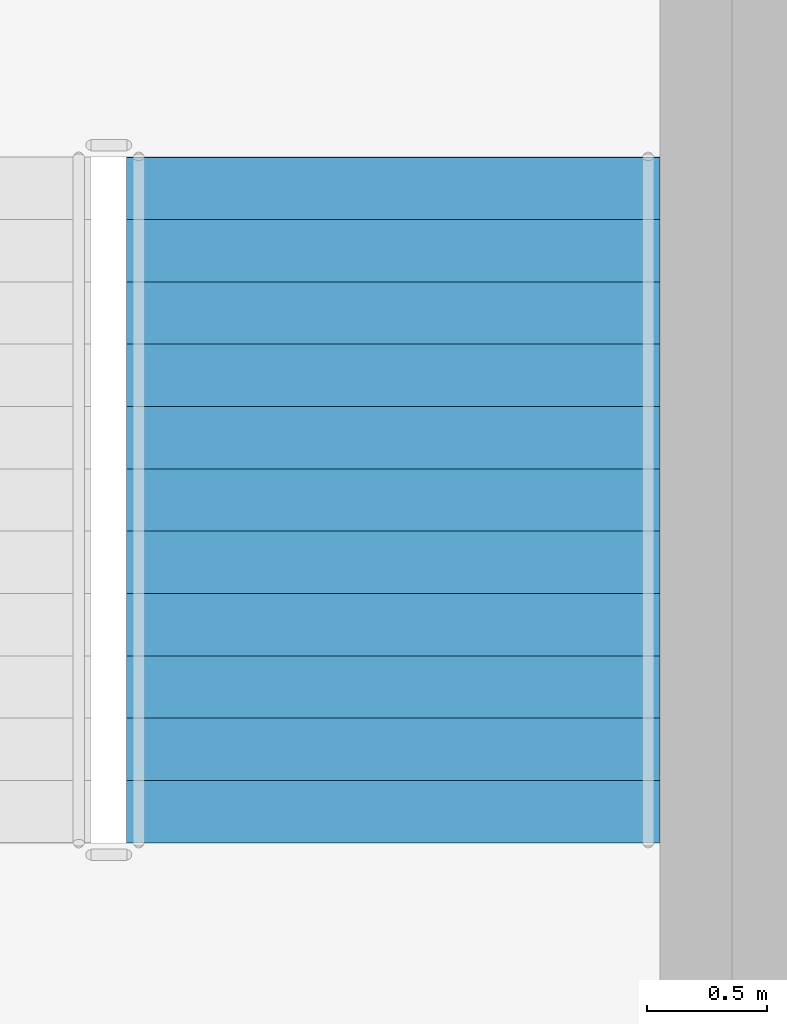
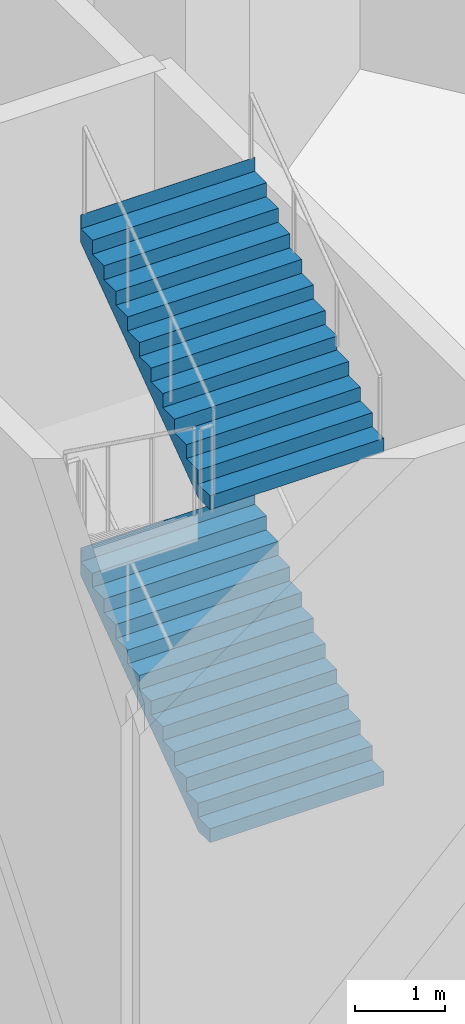
# One storey, part 18 of 35: 2 stair flights, 1 element without a shape of its own.
"""IFC4 building model written with IfcOpenShell, lengths in metres."""

from ifc_helpers import new_model, si_unit, direction, frame, origin, place, context, subcontext, project, spatial, triangles, material, type_object, element, aggregate, save


model = new_model("IFC4")

# Units and contexts
model_context = context("Model", 3, precision=1e-05, world=origin(), true_north=direction((0.0, 1.0)))
body_context = subcontext(model_context, "Body", "Model", "MODEL_VIEW")
ifc_project = project(units=[si_unit("LENGTHUNIT", "METRE"), si_unit("AREAUNIT", "SQUARE_METRE"), si_unit("VOLUMEUNIT", "CUBIC_METRE"), si_unit("PLANEANGLEUNIT", "RADIAN"), si_unit("MASSUNIT", "GRAM", prefix="KILO")], contexts=[model_context])

# Site, building, storey
site_placement = place(None, origin())
site = spatial("IfcSite", under=ifc_project, at=site_placement, CompositionType="ELEMENT")
building_placement = place(site_placement, origin())
building = spatial("IfcBuilding", under=site, at=building_placement, Name="Sahrelin Media Tower", CompositionType="ELEMENT")
storey_placement = place(building_placement, frame((0.0, 0.0, 8.0)))
storey = spatial("IfcBuildingStorey", under=building, at=storey_placement, Name="L01", CompositionType="ELEMENT", Elevation=8.0)

# Stair, stair flights
ifc_material = material(Name="Concrete C40/50", Category="concrete")
stair_type = type_object("IfcStairType", Name="Podium stair 2225", PredefinedType="HALF_TURN_STAIR", material=ifc_material)
stair_placement = place(storey_placement, origin())
stair = element("IfcStair", 1, at=stair_placement, inside=storey, type_object=stair_type, Name="L01 Podium stair PS4", PredefinedType="HALF_TURN_STAIR")
stair_flight_type = type_object("IfcStairFlightType", Name="Stair flight 2225", PredefinedType="STRAIGHT", material=ifc_material)
stair_flight_1_placement = place(storey_placement, frame((11.83740234375, -33.485107421875, 2.25), z_axis=(0.0, 0.0, 1.0), x_axis=(0.0, 1.0, 0.0)))
stair_flight_1 = element("IfcStairFlight", 2, at=stair_flight_1_placement, type_object=stair_flight_type, Name="PS4 flight 2", NumberOfRisers=12, NumberOfTreads=11, PredefinedType="STRAIGHT", RiserHeight=0.1875, TreadLength=0.26, context=body_context, shape_type="Tessellation", body=[
    triangles([(0.25634765625, 1.112548828125, 0.0), (0.25634765625, 0.794677734375, 0.0), (0.25634765625, 0.476806640625, 0.0), (0.25634765625, 0.158935546875, 0.0), (0.25634765625, -0.158935546875, 0.0), (0.25634765625, -0.476806640625, 0.0), (0.25634765625, -0.794677734375, 0.0), (0.25634765625, -1.112548828125, 0.0), (2.860107421875, 1.112548828125, 1.877685546875), (2.860107421875, 0.794677734375, 1.877685546875), (2.860107421875, 0.476806640625, 1.877685546875), (2.860107421875, 0.158935546875, 1.877685546875), (2.860107421875, -0.158935546875, 1.877685546875), (2.860107421875, -0.476806640625, 1.877685546875), (2.860107421875, -0.794677734375, 1.877685546875), (2.860107421875, -1.112548828125, 1.877685546875), (2.860107421875, 1.112548828125, 2.25), (2.860107421875, 0.794677734375, 2.25), (2.860107421875, 0.476806640625, 2.25), (2.860107421875, 0.158935546875, 2.25), (2.860107421875, -0.158935546875, 2.25), (2.860107421875, -0.476806640625, 2.25), (2.860107421875, -0.794677734375, 2.25), (2.860107421875, -1.112548828125, 2.25), (2.85791015625, 1.112548828125, 2.25), (2.85791015625, 0.794677734375, 2.25), (2.85791015625, 0.476806640625, 2.25), (2.85791015625, 0.158935546875, 2.25), (2.85791015625, -0.158935546875, 2.25), (2.85791015625, -0.476806640625, 2.25), (2.85791015625, -0.794677734375, 2.25), (2.85791015625, -1.112548828125, 2.25), (2.85791015625, 1.112548828125, 2.0625), (2.85791015625, 0.794677734375, 2.0625), (2.85791015625, 0.476806640625, 2.0625), (2.85791015625, 0.158935546875, 2.0625), (2.85791015625, -0.158935546875, 2.0625), (2.85791015625, -0.476806640625, 2.0625), (2.85791015625, -0.794677734375, 2.0625), (2.85791015625, -1.112548828125, 2.0625), (2.60009765625, 1.112548828125, 2.0625), (2.60009765625, 0.794677734375, 2.0625), (2.60009765625, 0.476806640625, 2.0625), (2.60009765625, 0.158935546875, 2.0625), (2.60009765625, -0.158935546875, 2.0625), (2.60009765625, -0.476806640625, 2.0625), (2.60009765625, -0.794677734375, 2.0625), (2.60009765625, -1.112548828125, 2.0625), (2.60009765625, 1.112548828125, 1.875), (2.60009765625, 0.794677734375, 1.875), (2.60009765625, 0.476806640625, 1.875), (2.60009765625, 0.158935546875, 1.875), (2.60009765625, -0.158935546875, 1.875), (2.60009765625, -0.476806640625, 1.875), (2.60009765625, -0.794677734375, 1.875), (2.60009765625, -1.112548828125, 1.875), (2.340087890625, 1.112548828125, 1.875), (2.340087890625, 0.794677734375, 1.875), (2.340087890625, 0.476806640625, 1.875), (2.340087890625, 0.158935546875, 1.875), (2.340087890625, -0.158935546875, 1.875), (2.340087890625, -0.476806640625, 1.875), (2.340087890625, -0.794677734375, 1.875), (2.340087890625, -1.112548828125, 1.875), (2.340087890625, 1.112548828125, 1.6875), (2.340087890625, 0.794677734375, 1.6875), (2.340087890625, 0.476806640625, 1.6875), (2.340087890625, 0.158935546875, 1.6875), (2.340087890625, -0.158935546875, 1.6875), (2.340087890625, -0.476806640625, 1.6875), (2.340087890625, -0.794677734375, 1.6875), (2.340087890625, -1.112548828125, 1.6875), (2.080078125, 1.112548828125, 1.6875), (2.080078125, 0.794677734375, 1.6875), (2.080078125, 0.476806640625, 1.6875), (2.080078125, 0.158935546875, 1.6875), (2.080078125, -0.158935546875, 1.6875), (2.080078125, -0.476806640625, 1.6875), (2.080078125, -0.794677734375, 1.6875), (2.080078125, -1.112548828125, 1.6875), (2.080078125, 1.112548828125, 1.5), (2.080078125, 0.794677734375, 1.5), (2.080078125, 0.476806640625, 1.5), (2.080078125, 0.158935546875, 1.5), (2.080078125, -0.158935546875, 1.5), (2.080078125, -0.476806640625, 1.5), (2.080078125, -0.794677734375, 1.5), (2.080078125, -1.112548828125, 1.5), (1.820068359375, 1.112548828125, 1.5), (1.820068359375, 0.794677734375, 1.5), (1.820068359375, 0.476806640625, 1.5), (1.820068359375, 0.158935546875, 1.5), (1.820068359375, -0.158935546875, 1.5), (1.820068359375, -0.476806640625, 1.5), (1.820068359375, -0.794677734375, 1.5), (1.820068359375, -1.112548828125, 1.5), (1.820068359375, 1.112548828125, 1.3125), (1.820068359375, 0.794677734375, 1.3125), (1.820068359375, 0.476806640625, 1.3125), (1.820068359375, 0.158935546875, 1.3125), (1.820068359375, -0.158935546875, 1.3125), (1.820068359375, -0.476806640625, 1.3125), (1.820068359375, -0.794677734375, 1.3125), (1.820068359375, -1.112548828125, 1.3125), (1.56005859375, 1.112548828125, 1.3125), (1.56005859375, 0.794677734375, 1.3125), (1.56005859375, 0.476806640625, 1.3125), (1.56005859375, 0.158935546875, 1.3125), (1.56005859375, -0.158935546875, 1.3125), (1.56005859375, -0.476806640625, 1.3125), (1.56005859375, -0.794677734375, 1.3125), (1.56005859375, -1.112548828125, 1.3125), (1.56005859375, 1.112548828125, 1.125), (1.56005859375, 0.794677734375, 1.125), (1.56005859375, 0.476806640625, 1.125), (1.56005859375, 0.158935546875, 1.125), (1.56005859375, -0.158935546875, 1.125), (1.56005859375, -0.476806640625, 1.125), (1.56005859375, -0.794677734375, 1.125), (1.56005859375, -1.112548828125, 1.125), (1.300048828125, 1.112548828125, 1.125), (1.300048828125, 0.794677734375, 1.125), (1.300048828125, 0.476806640625, 1.125), (1.300048828125, 0.158935546875, 1.125), (1.300048828125, -0.158935546875, 1.125), (1.300048828125, -0.476806640625, 1.125), (1.300048828125, -0.794677734375, 1.125), (1.300048828125, -1.112548828125, 1.125), (1.300048828125, 1.112548828125, 0.9375), (1.300048828125, 0.794677734375, 0.9375), (1.300048828125, 0.476806640625, 0.9375), (1.300048828125, 0.158935546875, 0.9375), (1.300048828125, -0.158935546875, 0.9375), (1.300048828125, -0.476806640625, 0.9375), (1.300048828125, -0.794677734375, 0.9375), (1.300048828125, -1.112548828125, 0.9375), (1.0400390625, 1.112548828125, 0.9375), (1.0400390625, 0.794677734375, 0.9375), (1.0400390625, 0.476806640625, 0.9375), (1.0400390625, 0.158935546875, 0.9375), (1.0400390625, -0.158935546875, 0.9375), (1.0400390625, -0.476806640625, 0.9375), (1.0400390625, -0.794677734375, 0.9375), (1.0400390625, -1.112548828125, 0.9375), (1.0400390625, 1.112548828125, 0.75), (1.0400390625, 0.794677734375, 0.75), (1.0400390625, 0.476806640625, 0.75), (1.0400390625, 0.158935546875, 0.75), (1.0400390625, -0.158935546875, 0.75), (1.0400390625, -0.476806640625, 0.75), (1.0400390625, -0.794677734375, 0.75), (1.0400390625, -1.112548828125, 0.75), (0.780029296875, 1.112548828125, 0.75), (0.780029296875, 0.794677734375, 0.75), (0.780029296875, 0.476806640625, 0.75), (0.780029296875, 0.158935546875, 0.75), (0.780029296875, -0.158935546875, 0.75), (0.780029296875, -0.476806640625, 0.75), (0.780029296875, -0.794677734375, 0.75), (0.780029296875, -1.112548828125, 0.75), (0.780029296875, 1.112548828125, 0.5625), (0.780029296875, 0.794677734375, 0.5625), (0.780029296875, 0.476806640625, 0.5625), (0.780029296875, 0.158935546875, 0.5625), (0.780029296875, -0.158935546875, 0.5625), (0.780029296875, -0.476806640625, 0.5625), (0.780029296875, -0.794677734375, 0.5625), (0.780029296875, -1.112548828125, 0.5625), (0.52001953125, 1.112548828125, 0.5625), (0.52001953125, 0.794677734375, 0.5625), (0.52001953125, 0.476806640625, 0.5625), (0.52001953125, 0.158935546875, 0.5625), (0.52001953125, -0.158935546875, 0.5625), (0.52001953125, -0.476806640625, 0.5625), (0.52001953125, -0.794677734375, 0.5625), (0.52001953125, -1.112548828125, 0.5625), (0.52001953125, 1.112548828125, 0.375), (0.52001953125, 0.794677734375, 0.375), (0.52001953125, 0.476806640625, 0.375), (0.52001953125, 0.158935546875, 0.375), (0.52001953125, -0.158935546875, 0.375), (0.52001953125, -0.476806640625, 0.375), (0.52001953125, -0.794677734375, 0.375), (0.52001953125, -1.112548828125, 0.375), (0.260009765625, 1.112548828125, 0.375), (0.260009765625, 0.794677734375, 0.375), (0.260009765625, 0.476806640625, 0.375), (0.260009765625, 0.158935546875, 0.375), (0.260009765625, -0.158935546875, 0.375), (0.260009765625, -0.476806640625, 0.375), (0.260009765625, -0.794677734375, 0.375), (0.260009765625, -1.112548828125, 0.375), (0.260009765625, 1.112548828125, 0.1875), (0.260009765625, 0.794677734375, 0.1875), (0.260009765625, 0.476806640625, 0.1875), (0.260009765625, 0.158935546875, 0.1875), (0.260009765625, -0.158935546875, 0.1875), (0.260009765625, -0.476806640625, 0.1875), (0.260009765625, -0.794677734375, 0.1875), (0.260009765625, -1.112548828125, 0.1875), (0.0, 1.112548828125, 0.1875), (0.0, 0.794677734375, 0.1875), (0.0, 0.476806640625, 0.1875), (0.0, 0.158935546875, 0.1875), (0.0, -0.158935546875, 0.1875), (0.0, -0.476806640625, 0.1875), (0.0, -0.794677734375, 0.1875), (0.0, -1.112548828125, 0.1875), (0.0, 1.112548828125, 0.0), (0.0, 0.794677734375, 0.0), (0.0, 0.476806640625, 0.0), (0.0, 0.158935546875, 0.0), (0.0, -0.158935546875, 0.0), (0.0, -0.476806640625, 0.0), (0.0, -0.794677734375, 0.0), (0.0, -1.112548828125, 0.0)], [[1, 9, 10], [1, 10, 2], [2, 10, 11], [2, 11, 3], [3, 11, 12], [3, 12, 4], [4, 12, 13], [4, 13, 5], [5, 13, 14], [5, 14, 6], [6, 14, 15], [6, 15, 7], [7, 15, 16], [7, 16, 8], [9, 17, 18], [9, 18, 10], [10, 18, 19], [10, 19, 11], [11, 19, 20], [11, 20, 12], [12, 20, 21], [12, 21, 13], [13, 21, 22], [13, 22, 14], [14, 22, 23], [14, 23, 15], [15, 23, 24], [15, 24, 16], [17, 25, 26], [17, 26, 18], [18, 26, 27], [18, 27, 19], [19, 27, 28], [19, 28, 20], [20, 28, 29], [20, 29, 21], [21, 29, 30], [21, 30, 22], [22, 30, 31], [22, 31, 23], [23, 31, 32], [23, 32, 24], [25, 33, 34], [25, 34, 26], [26, 34, 35], [26, 35, 27], [27, 35, 36], [27, 36, 28], [28, 36, 37], [28, 37, 29], [29, 37, 38], [29, 38, 30], [30, 38, 39], [30, 39, 31], [31, 39, 40], [31, 40, 32], [33, 41, 42], [33, 42, 34], [34, 42, 43], [34, 43, 35], [35, 43, 44], [35, 44, 36], [36, 44, 45], [36, 45, 37], [37, 45, 46], [37, 46, 38], [38, 46, 47], [38, 47, 39], [39, 47, 48], [39, 48, 40], [41, 49, 50], [41, 50, 42], [42, 50, 51], [42, 51, 43], [43, 51, 52], [43, 52, 44], [44, 52, 53], [44, 53, 45], [45, 53, 54], [45, 54, 46], [46, 54, 55], [46, 55, 47], [47, 55, 56], [47, 56, 48], [49, 57, 58], [49, 58, 50], [50, 58, 59], [50, 59, 51], [51, 59, 60], [51, 60, 52], [52, 60, 61], [52, 61, 53], [53, 61, 62], [53, 62, 54], [54, 62, 63], [54, 63, 55], [55, 63, 64], [55, 64, 56], [57, 65, 66], [57, 66, 58], [58, 66, 67], [58, 67, 59], [59, 67, 68], [59, 68, 60], [60, 68, 69], [60, 69, 61], [61, 69, 70], [61, 70, 62], [62, 70, 71], [62, 71, 63], [63, 71, 72], [63, 72, 64], [65, 73, 74], [65, 74, 66], [66, 74, 75], [66, 75, 67], [67, 75, 76], [67, 76, 68], [68, 76, 77], [68, 77, 69], [69, 77, 78], [69, 78, 70], [70, 78, 79], [70, 79, 71], [71, 79, 80], [71, 80, 72], [73, 81, 82], [73, 82, 74], [74, 82, 83], [74, 83, 75], [75, 83, 84], [75, 84, 76], [76, 84, 85], [76, 85, 77], [77, 85, 86], [77, 86, 78], [78, 86, 87], [78, 87, 79], [79, 87, 88], [79, 88, 80], [81, 89, 90], [81, 90, 82], [82, 90, 91], [82, 91, 83], [83, 91, 92], [83, 92, 84], [84, 92, 93], [84, 93, 85], [85, 93, 94], [85, 94, 86], [86, 94, 95], [86, 95, 87], [87, 95, 96], [87, 96, 88], [89, 97, 98], [89, 98, 90], [90, 98, 99], [90, 99, 91], [91, 99, 100], [91, 100, 92], [92, 100, 101], [92, 101, 93], [93, 101, 102], [93, 102, 94], [94, 102, 103], [94, 103, 95], [95, 103, 104], [95, 104, 96], [97, 105, 106], [97, 106, 98], [98, 106, 107], [98, 107, 99], [99, 107, 108], [99, 108, 100], [100, 108, 109], [100, 109, 101], [101, 109, 110], [101, 110, 102], [102, 110, 111], [102, 111, 103], [103, 111, 112], [103, 112, 104], [105, 113, 114], [105, 114, 106], [106, 114, 115], [106, 115, 107], [107, 115, 116], [107, 116, 108], [108, 116, 117], [108, 117, 109], [109, 117, 118], [109, 118, 110], [110, 118, 119], [110, 119, 111], [111, 119, 120], [111, 120, 112], [113, 121, 122], [113, 122, 114], [114, 122, 123], [114, 123, 115], [115, 123, 124], [115, 124, 116], [116, 124, 125], [116, 125, 117], [117, 125, 126], [117, 126, 118], [118, 126, 127], [118, 127, 119], [119, 127, 128], [119, 128, 120], [121, 129, 130], [121, 130, 122], [122, 130, 131], [122, 131, 123], [123, 131, 132], [123, 132, 124], [124, 132, 133], [124, 133, 125], [125, 133, 134], [125, 134, 126], [126, 134, 135], [126, 135, 127], [127, 135, 136], [127, 136, 128], [129, 137, 138], [129, 138, 130], [130, 138, 139], [130, 139, 131], [131, 139, 140], [131, 140, 132], [132, 140, 141], [132, 141, 133], [133, 141, 142], [133, 142, 134], [134, 142, 143], [134, 143, 135], [135, 143, 144], [135, 144, 136], [137, 145, 146], [137, 146, 138], [138, 146, 147], [138, 147, 139], [139, 147, 148], [139, 148, 140], [140, 148, 149], [140, 149, 141], [141, 149, 150], [141, 150, 142], [142, 150, 151], [142, 151, 143], [143, 151, 152], [143, 152, 144], [145, 153, 154], [145, 154, 146], [146, 154, 155], [146, 155, 147], [147, 155, 156], [147, 156, 148], [148, 156, 157], [148, 157, 149], [149, 157, 158], [149, 158, 150], [150, 158, 159], [150, 159, 151], [151, 159, 160], [151, 160, 152], [153, 161, 162], [153, 162, 154], [154, 162, 163], [154, 163, 155], [155, 163, 164], [155, 164, 156], [156, 164, 165], [156, 165, 157], [157, 165, 166], [157, 166, 158], [158, 166, 167], [158, 167, 159], [159, 167, 168], [159, 168, 160], [161, 169, 170], [161, 170, 162], [162, 170, 171], [162, 171, 163], [163, 171, 172], [163, 172, 164], [164, 172, 173], [164, 173, 165], [165, 173, 174], [165, 174, 166], [166, 174, 175], [166, 175, 167], [167, 175, 176], [167, 176, 168], [169, 177, 178], [169, 178, 170], [170, 178, 179], [170, 179, 171], [171, 179, 180], [171, 180, 172], [172, 180, 181], [172, 181, 173], [173, 181, 182], [173, 182, 174], [174, 182, 183], [174, 183, 175], [175, 183, 184], [175, 184, 176], [177, 185, 186], [177, 186, 178], [178, 186, 187], [178, 187, 179], [179, 187, 188], [179, 188, 180], [180, 188, 189], [180, 189, 181], [181, 189, 190], [181, 190, 182], [182, 190, 191], [182, 191, 183], [183, 191, 192], [183, 192, 184], [185, 193, 194], [185, 194, 186], [186, 194, 195], [186, 195, 187], [187, 195, 196], [187, 196, 188], [188, 196, 197], [188, 197, 189], [189, 197, 198], [189, 198, 190], [190, 198, 199], [190, 199, 191], [191, 199, 200], [191, 200, 192], [193, 201, 202], [193, 202, 194], [194, 202, 203], [194, 203, 195], [195, 203, 204], [195, 204, 196], [196, 204, 205], [196, 205, 197], [197, 205, 206], [197, 206, 198], [198, 206, 207], [198, 207, 199], [199, 207, 208], [199, 208, 200], [201, 209, 210], [201, 210, 202], [202, 210, 211], [202, 211, 203], [203, 211, 212], [203, 212, 204], [204, 212, 213], [204, 213, 205], [205, 213, 214], [205, 214, 206], [206, 214, 215], [206, 215, 207], [207, 215, 216], [207, 216, 208], [209, 1, 2], [209, 2, 210], [210, 2, 3], [210, 3, 211], [211, 3, 4], [211, 4, 212], [212, 4, 5], [212, 5, 213], [213, 5, 6], [213, 6, 214], [214, 6, 7], [214, 7, 215], [215, 7, 8], [215, 8, 216], [8, 208, 216], [1, 209, 201], [200, 184, 192], [193, 185, 177], [184, 168, 176], [177, 169, 161], [168, 152, 160], [161, 153, 145], [152, 136, 144], [145, 137, 129], [136, 120, 128], [129, 121, 113], [120, 104, 112], [113, 105, 97], [104, 88, 96], [97, 89, 81], [88, 72, 80], [81, 73, 65], [72, 56, 64], [65, 57, 49], [56, 40, 48], [49, 41, 33], [40, 24, 32], [33, 25, 17], [8, 200, 208], [1, 201, 193], [16, 56, 72], [9, 65, 49], [40, 16, 24], [33, 17, 9], [184, 200, 8], [177, 1, 193], [56, 16, 40], [49, 33, 9], [168, 184, 8], [161, 1, 177], [72, 88, 16], [65, 9, 81], [152, 168, 8], [145, 1, 161], [104, 16, 88], [97, 81, 9], [136, 152, 8], [129, 1, 145], [120, 16, 104], [113, 97, 9], [120, 136, 8], [113, 1, 129], [8, 16, 120], [1, 113, 9]], closed=True),
])
stair_flight_2_placement = place(storey_placement, frame((11.83740234375, -33.485107421875, 6.75), z_axis=(0.0, 0.0, 1.0), x_axis=(0.0, 1.0, 0.0)))
stair_flight_2 = element("IfcStairFlight", 3, at=stair_flight_2_placement, type_object=stair_flight_type, Name="PS4 flight 4", NumberOfRisers=12, NumberOfTreads=11, PredefinedType="STRAIGHT", RiserHeight=0.1875, TreadLength=0.26, context=body_context, shape_type="Tessellation", body=[
    triangles([(0.25634765625, 1.112548828125, 0.0), (0.25634765625, 0.794677734375, 0.0), (0.25634765625, 0.476806640625, 0.0), (0.25634765625, 0.158935546875, 0.0), (0.25634765625, -0.158935546875, 0.0), (0.25634765625, -0.476806640625, 0.0), (0.25634765625, -0.794677734375, 0.0), (0.25634765625, -1.112548828125, 0.0), (2.860107421875, 1.112548828125, 1.877685546875), (2.860107421875, 0.794677734375, 1.877685546875), (2.860107421875, 0.476806640625, 1.877685546875), (2.860107421875, 0.158935546875, 1.877685546875), (2.860107421875, -0.158935546875, 1.877685546875), (2.860107421875, -0.476806640625, 1.877685546875), (2.860107421875, -0.794677734375, 1.877685546875), (2.860107421875, -1.112548828125, 1.877685546875), (2.860107421875, 1.112548828125, 2.25), (2.860107421875, 0.794677734375, 2.25), (2.860107421875, 0.476806640625, 2.25), (2.860107421875, 0.158935546875, 2.25), (2.860107421875, -0.158935546875, 2.25), (2.860107421875, -0.476806640625, 2.25), (2.860107421875, -0.794677734375, 2.25), (2.860107421875, -1.112548828125, 2.25), (2.85791015625, 1.112548828125, 2.25), (2.85791015625, 0.794677734375, 2.25), (2.85791015625, 0.476806640625, 2.25), (2.85791015625, 0.158935546875, 2.25), (2.85791015625, -0.158935546875, 2.25), (2.85791015625, -0.476806640625, 2.25), (2.85791015625, -0.794677734375, 2.25), (2.85791015625, -1.112548828125, 2.25), (2.85791015625, 1.112548828125, 2.0625), (2.85791015625, 0.794677734375, 2.0625), (2.85791015625, 0.476806640625, 2.0625), (2.85791015625, 0.158935546875, 2.0625), (2.85791015625, -0.158935546875, 2.0625), (2.85791015625, -0.476806640625, 2.0625), (2.85791015625, -0.794677734375, 2.0625), (2.85791015625, -1.112548828125, 2.0625), (2.60009765625, 1.112548828125, 2.0625), (2.60009765625, 0.794677734375, 2.0625), (2.60009765625, 0.476806640625, 2.0625), (2.60009765625, 0.158935546875, 2.0625), (2.60009765625, -0.158935546875, 2.0625), (2.60009765625, -0.476806640625, 2.0625), (2.60009765625, -0.794677734375, 2.0625), (2.60009765625, -1.112548828125, 2.0625), (2.60009765625, 1.112548828125, 1.875), (2.60009765625, 0.794677734375, 1.875), (2.60009765625, 0.476806640625, 1.875), (2.60009765625, 0.158935546875, 1.875), (2.60009765625, -0.158935546875, 1.875), (2.60009765625, -0.476806640625, 1.875), (2.60009765625, -0.794677734375, 1.875), (2.60009765625, -1.112548828125, 1.875), (2.340087890625, 1.112548828125, 1.875), (2.340087890625, 0.794677734375, 1.875), (2.340087890625, 0.476806640625, 1.875), (2.340087890625, 0.158935546875, 1.875), (2.340087890625, -0.158935546875, 1.875), (2.340087890625, -0.476806640625, 1.875), (2.340087890625, -0.794677734375, 1.875), (2.340087890625, -1.112548828125, 1.875), (2.340087890625, 1.112548828125, 1.6875), (2.340087890625, 0.794677734375, 1.6875), (2.340087890625, 0.476806640625, 1.6875), (2.340087890625, 0.158935546875, 1.6875), (2.340087890625, -0.158935546875, 1.6875), (2.340087890625, -0.476806640625, 1.6875), (2.340087890625, -0.794677734375, 1.6875), (2.340087890625, -1.112548828125, 1.6875), (2.080078125, 1.112548828125, 1.6875), (2.080078125, 0.794677734375, 1.6875), (2.080078125, 0.476806640625, 1.6875), (2.080078125, 0.158935546875, 1.6875), (2.080078125, -0.158935546875, 1.6875), (2.080078125, -0.476806640625, 1.6875), (2.080078125, -0.794677734375, 1.6875), (2.080078125, -1.112548828125, 1.6875), (2.080078125, 1.112548828125, 1.5), (2.080078125, 0.794677734375, 1.5), (2.080078125, 0.476806640625, 1.5), (2.080078125, 0.158935546875, 1.5), (2.080078125, -0.158935546875, 1.5), (2.080078125, -0.476806640625, 1.5), (2.080078125, -0.794677734375, 1.5), (2.080078125, -1.112548828125, 1.5), (1.820068359375, 1.112548828125, 1.5), (1.820068359375, 0.794677734375, 1.5), (1.820068359375, 0.476806640625, 1.5), (1.820068359375, 0.158935546875, 1.5), (1.820068359375, -0.158935546875, 1.5), (1.820068359375, -0.476806640625, 1.5), (1.820068359375, -0.794677734375, 1.5), (1.820068359375, -1.112548828125, 1.5), (1.820068359375, 1.112548828125, 1.3125), (1.820068359375, 0.794677734375, 1.3125), (1.820068359375, 0.476806640625, 1.3125), (1.820068359375, 0.158935546875, 1.3125), (1.820068359375, -0.158935546875, 1.3125), (1.820068359375, -0.476806640625, 1.3125), (1.820068359375, -0.794677734375, 1.3125), (1.820068359375, -1.112548828125, 1.3125), (1.56005859375, 1.112548828125, 1.3125), (1.56005859375, 0.794677734375, 1.3125), (1.56005859375, 0.476806640625, 1.3125), (1.56005859375, 0.158935546875, 1.3125), (1.56005859375, -0.158935546875, 1.3125), (1.56005859375, -0.476806640625, 1.3125), (1.56005859375, -0.794677734375, 1.3125), (1.56005859375, -1.112548828125, 1.3125), (1.56005859375, 1.112548828125, 1.125), (1.56005859375, 0.794677734375, 1.125), (1.56005859375, 0.476806640625, 1.125), (1.56005859375, 0.158935546875, 1.125), (1.56005859375, -0.158935546875, 1.125), (1.56005859375, -0.476806640625, 1.125), (1.56005859375, -0.794677734375, 1.125), (1.56005859375, -1.112548828125, 1.125), (1.300048828125, 1.112548828125, 1.125), (1.300048828125, 0.794677734375, 1.125), (1.300048828125, 0.476806640625, 1.125), (1.300048828125, 0.158935546875, 1.125), (1.300048828125, -0.158935546875, 1.125), (1.300048828125, -0.476806640625, 1.125), (1.300048828125, -0.794677734375, 1.125), (1.300048828125, -1.112548828125, 1.125), (1.300048828125, 1.112548828125, 0.9375), (1.300048828125, 0.794677734375, 0.9375), (1.300048828125, 0.476806640625, 0.9375), (1.300048828125, 0.158935546875, 0.9375), (1.300048828125, -0.158935546875, 0.9375), (1.300048828125, -0.476806640625, 0.9375), (1.300048828125, -0.794677734375, 0.9375), (1.300048828125, -1.112548828125, 0.9375), (1.0400390625, 1.112548828125, 0.9375), (1.0400390625, 0.794677734375, 0.9375), (1.0400390625, 0.476806640625, 0.9375), (1.0400390625, 0.158935546875, 0.9375), (1.0400390625, -0.158935546875, 0.9375), (1.0400390625, -0.476806640625, 0.9375), (1.0400390625, -0.794677734375, 0.9375), (1.0400390625, -1.112548828125, 0.9375), (1.0400390625, 1.112548828125, 0.75), (1.0400390625, 0.794677734375, 0.75), (1.0400390625, 0.476806640625, 0.75), (1.0400390625, 0.158935546875, 0.75), (1.0400390625, -0.158935546875, 0.75), (1.0400390625, -0.476806640625, 0.75), (1.0400390625, -0.794677734375, 0.75), (1.0400390625, -1.112548828125, 0.75), (0.780029296875, 1.112548828125, 0.75), (0.780029296875, 0.794677734375, 0.75), (0.780029296875, 0.476806640625, 0.75), (0.780029296875, 0.158935546875, 0.75), (0.780029296875, -0.158935546875, 0.75), (0.780029296875, -0.476806640625, 0.75), (0.780029296875, -0.794677734375, 0.75), (0.780029296875, -1.112548828125, 0.75), (0.780029296875, 1.112548828125, 0.5625), (0.780029296875, 0.794677734375, 0.5625), (0.780029296875, 0.476806640625, 0.5625), (0.780029296875, 0.158935546875, 0.5625), (0.780029296875, -0.158935546875, 0.5625), (0.780029296875, -0.476806640625, 0.5625), (0.780029296875, -0.794677734375, 0.5625), (0.780029296875, -1.112548828125, 0.5625), (0.52001953125, 1.112548828125, 0.5625), (0.52001953125, 0.794677734375, 0.5625), (0.52001953125, 0.476806640625, 0.5625), (0.52001953125, 0.158935546875, 0.5625), (0.52001953125, -0.158935546875, 0.5625), (0.52001953125, -0.476806640625, 0.5625), (0.52001953125, -0.794677734375, 0.5625), (0.52001953125, -1.112548828125, 0.5625), (0.52001953125, 1.112548828125, 0.375), (0.52001953125, 0.794677734375, 0.375), (0.52001953125, 0.476806640625, 0.375), (0.52001953125, 0.158935546875, 0.375), (0.52001953125, -0.158935546875, 0.375), (0.52001953125, -0.476806640625, 0.375), (0.52001953125, -0.794677734375, 0.375), (0.52001953125, -1.112548828125, 0.375), (0.260009765625, 1.112548828125, 0.375), (0.260009765625, 0.794677734375, 0.375), (0.260009765625, 0.476806640625, 0.375), (0.260009765625, 0.158935546875, 0.375), (0.260009765625, -0.158935546875, 0.375), (0.260009765625, -0.476806640625, 0.375), (0.260009765625, -0.794677734375, 0.375), (0.260009765625, -1.112548828125, 0.375), (0.260009765625, 1.112548828125, 0.1875), (0.260009765625, 0.794677734375, 0.1875), (0.260009765625, 0.476806640625, 0.1875), (0.260009765625, 0.158935546875, 0.1875), (0.260009765625, -0.158935546875, 0.1875), (0.260009765625, -0.476806640625, 0.1875), (0.260009765625, -0.794677734375, 0.1875), (0.260009765625, -1.112548828125, 0.1875), (0.0, 1.112548828125, 0.1875), (0.0, 0.794677734375, 0.1875), (0.0, 0.476806640625, 0.1875), (0.0, 0.158935546875, 0.1875), (0.0, -0.158935546875, 0.1875), (0.0, -0.476806640625, 0.1875), (0.0, -0.794677734375, 0.1875), (0.0, -1.112548828125, 0.1875), (0.0, 1.112548828125, 0.0), (0.0, 0.794677734375, 0.0), (0.0, 0.476806640625, 0.0), (0.0, 0.158935546875, 0.0), (0.0, -0.158935546875, 0.0), (0.0, -0.476806640625, 0.0), (0.0, -0.794677734375, 0.0), (0.0, -1.112548828125, 0.0)], [[1, 9, 10], [1, 10, 2], [2, 10, 11], [2, 11, 3], [3, 11, 12], [3, 12, 4], [4, 12, 13], [4, 13, 5], [5, 13, 14], [5, 14, 6], [6, 14, 15], [6, 15, 7], [7, 15, 16], [7, 16, 8], [9, 17, 18], [9, 18, 10], [10, 18, 19], [10, 19, 11], [11, 19, 20], [11, 20, 12], [12, 20, 21], [12, 21, 13], [13, 21, 22], [13, 22, 14], [14, 22, 23], [14, 23, 15], [15, 23, 24], [15, 24, 16], [17, 25, 26], [17, 26, 18], [18, 26, 27], [18, 27, 19], [19, 27, 28], [19, 28, 20], [20, 28, 29], [20, 29, 21], [21, 29, 30], [21, 30, 22], [22, 30, 31], [22, 31, 23], [23, 31, 32], [23, 32, 24], [25, 33, 34], [25, 34, 26], [26, 34, 35], [26, 35, 27], [27, 35, 36], [27, 36, 28], [28, 36, 37], [28, 37, 29], [29, 37, 38], [29, 38, 30], [30, 38, 39], [30, 39, 31], [31, 39, 40], [31, 40, 32], [33, 41, 42], [33, 42, 34], [34, 42, 43], [34, 43, 35], [35, 43, 44], [35, 44, 36], [36, 44, 45], [36, 45, 37], [37, 45, 46], [37, 46, 38], [38, 46, 47], [38, 47, 39], [39, 47, 48], [39, 48, 40], [41, 49, 50], [41, 50, 42], [42, 50, 51], [42, 51, 43], [43, 51, 52], [43, 52, 44], [44, 52, 53], [44, 53, 45], [45, 53, 54], [45, 54, 46], [46, 54, 55], [46, 55, 47], [47, 55, 56], [47, 56, 48], [49, 57, 58], [49, 58, 50], [50, 58, 59], [50, 59, 51], [51, 59, 60], [51, 60, 52], [52, 60, 61], [52, 61, 53], [53, 61, 62], [53, 62, 54], [54, 62, 63], [54, 63, 55], [55, 63, 64], [55, 64, 56], [57, 65, 66], [57, 66, 58], [58, 66, 67], [58, 67, 59], [59, 67, 68], [59, 68, 60], [60, 68, 69], [60, 69, 61], [61, 69, 70], [61, 70, 62], [62, 70, 71], [62, 71, 63], [63, 71, 72], [63, 72, 64], [65, 73, 74], [65, 74, 66], [66, 74, 75], [66, 75, 67], [67, 75, 76], [67, 76, 68], [68, 76, 77], [68, 77, 69], [69, 77, 78], [69, 78, 70], [70, 78, 79], [70, 79, 71], [71, 79, 80], [71, 80, 72], [73, 81, 82], [73, 82, 74], [74, 82, 83], [74, 83, 75], [75, 83, 84], [75, 84, 76], [76, 84, 85], [76, 85, 77], [77, 85, 86], [77, 86, 78], [78, 86, 87], [78, 87, 79], [79, 87, 88], [79, 88, 80], [81, 89, 90], [81, 90, 82], [82, 90, 91], [82, 91, 83], [83, 91, 92], [83, 92, 84], [84, 92, 93], [84, 93, 85], [85, 93, 94], [85, 94, 86], [86, 94, 95], [86, 95, 87], [87, 95, 96], [87, 96, 88], [89, 97, 98], [89, 98, 90], [90, 98, 99], [90, 99, 91], [91, 99, 100], [91, 100, 92], [92, 100, 101], [92, 101, 93], [93, 101, 102], [93, 102, 94], [94, 102, 103], [94, 103, 95], [95, 103, 104], [95, 104, 96], [97, 105, 106], [97, 106, 98], [98, 106, 107], [98, 107, 99], [99, 107, 108], [99, 108, 100], [100, 108, 109], [100, 109, 101], [101, 109, 110], [101, 110, 102], [102, 110, 111], [102, 111, 103], [103, 111, 112], [103, 112, 104], [105, 113, 114], [105, 114, 106], [106, 114, 115], [106, 115, 107], [107, 115, 116], [107, 116, 108], [108, 116, 117], [108, 117, 109], [109, 117, 118], [109, 118, 110], [110, 118, 119], [110, 119, 111], [111, 119, 120], [111, 120, 112], [113, 121, 122], [113, 122, 114], [114, 122, 123], [114, 123, 115], [115, 123, 124], [115, 124, 116], [116, 124, 125], [116, 125, 117], [117, 125, 126], [117, 126, 118], [118, 126, 127], [118, 127, 119], [119, 127, 128], [119, 128, 120], [121, 129, 130], [121, 130, 122], [122, 130, 131], [122, 131, 123], [123, 131, 132], [123, 132, 124], [124, 132, 133], [124, 133, 125], [125, 133, 134], [125, 134, 126], [126, 134, 135], [126, 135, 127], [127, 135, 136], [127, 136, 128], [129, 137, 138], [129, 138, 130], [130, 138, 139], [130, 139, 131], [131, 139, 140], [131, 140, 132], [132, 140, 141], [132, 141, 133], [133, 141, 142], [133, 142, 134], [134, 142, 143], [134, 143, 135], [135, 143, 144], [135, 144, 136], [137, 145, 146], [137, 146, 138], [138, 146, 147], [138, 147, 139], [139, 147, 148], [139, 148, 140], [140, 148, 149], [140, 149, 141], [141, 149, 150], [141, 150, 142], [142, 150, 151], [142, 151, 143], [143, 151, 152], [143, 152, 144], [145, 153, 154], [145, 154, 146], [146, 154, 155], [146, 155, 147], [147, 155, 156], [147, 156, 148], [148, 156, 157], [148, 157, 149], [149, 157, 158], [149, 158, 150], [150, 158, 159], [150, 159, 151], [151, 159, 160], [151, 160, 152], [153, 161, 162], [153, 162, 154], [154, 162, 163], [154, 163, 155], [155, 163, 164], [155, 164, 156], [156, 164, 165], [156, 165, 157], [157, 165, 166], [157, 166, 158], [158, 166, 167], [158, 167, 159], [159, 167, 168], [159, 168, 160], [161, 169, 170], [161, 170, 162], [162, 170, 171], [162, 171, 163], [163, 171, 172], [163, 172, 164], [164, 172, 173], [164, 173, 165], [165, 173, 174], [165, 174, 166], [166, 174, 175], [166, 175, 167], [167, 175, 176], [167, 176, 168], [169, 177, 178], [169, 178, 170], [170, 178, 179], [170, 179, 171], [171, 179, 180], [171, 180, 172], [172, 180, 181], [172, 181, 173], [173, 181, 182], [173, 182, 174], [174, 182, 183], [174, 183, 175], [175, 183, 184], [175, 184, 176], [177, 185, 186], [177, 186, 178], [178, 186, 187], [178, 187, 179], [179, 187, 188], [179, 188, 180], [180, 188, 189], [180, 189, 181], [181, 189, 190], [181, 190, 182], [182, 190, 191], [182, 191, 183], [183, 191, 192], [183, 192, 184], [185, 193, 194], [185, 194, 186], [186, 194, 195], [186, 195, 187], [187, 195, 196], [187, 196, 188], [188, 196, 197], [188, 197, 189], [189, 197, 198], [189, 198, 190], [190, 198, 199], [190, 199, 191], [191, 199, 200], [191, 200, 192], [193, 201, 202], [193, 202, 194], [194, 202, 203], [194, 203, 195], [195, 203, 204], [195, 204, 196], [196, 204, 205], [196, 205, 197], [197, 205, 206], [197, 206, 198], [198, 206, 207], [198, 207, 199], [199, 207, 208], [199, 208, 200], [201, 209, 210], [201, 210, 202], [202, 210, 211], [202, 211, 203], [203, 211, 212], [203, 212, 204], [204, 212, 213], [204, 213, 205], [205, 213, 214], [205, 214, 206], [206, 214, 215], [206, 215, 207], [207, 215, 216], [207, 216, 208], [209, 1, 2], [209, 2, 210], [210, 2, 3], [210, 3, 211], [211, 3, 4], [211, 4, 212], [212, 4, 5], [212, 5, 213], [213, 5, 6], [213, 6, 214], [214, 6, 7], [214, 7, 215], [215, 7, 8], [215, 8, 216], [8, 208, 216], [1, 209, 201], [200, 184, 192], [193, 185, 177], [184, 168, 176], [177, 169, 161], [168, 152, 160], [161, 153, 145], [152, 136, 144], [145, 137, 129], [136, 120, 128], [129, 121, 113], [120, 104, 112], [113, 105, 97], [104, 88, 96], [97, 89, 81], [88, 72, 80], [81, 73, 65], [72, 56, 64], [65, 57, 49], [56, 40, 48], [49, 41, 33], [40, 24, 32], [33, 25, 17], [8, 200, 208], [1, 201, 193], [16, 56, 72], [9, 65, 49], [40, 16, 24], [33, 17, 9], [184, 200, 8], [177, 1, 193], [56, 16, 40], [49, 33, 9], [168, 184, 8], [161, 1, 177], [72, 88, 16], [65, 9, 81], [152, 168, 8], [145, 1, 161], [104, 16, 88], [97, 81, 9], [136, 152, 8], [129, 1, 145], [120, 16, 104], [113, 97, 9], [120, 136, 8], [113, 1, 129], [8, 16, 120], [1, 113, 9]], closed=True),
])
aggregate(stair, [stair_flight_1, stair_flight_2])

save(model, "model.ifc")
